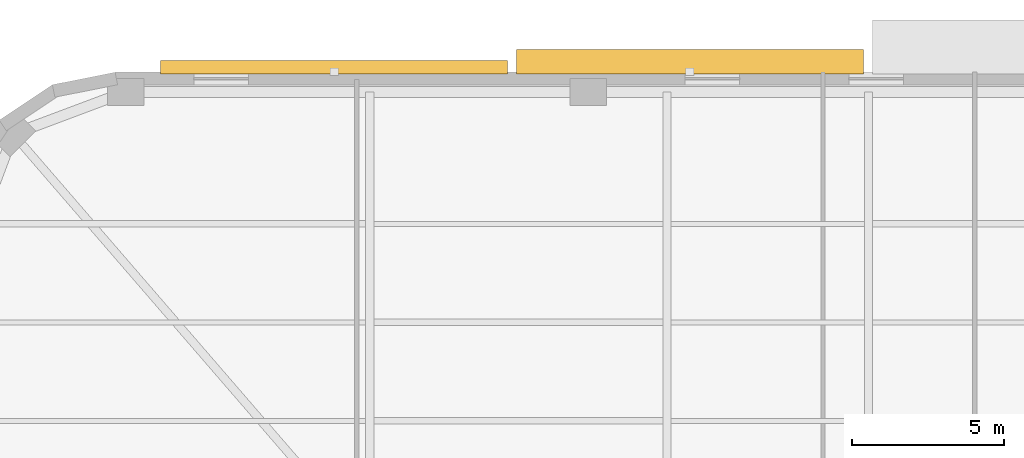
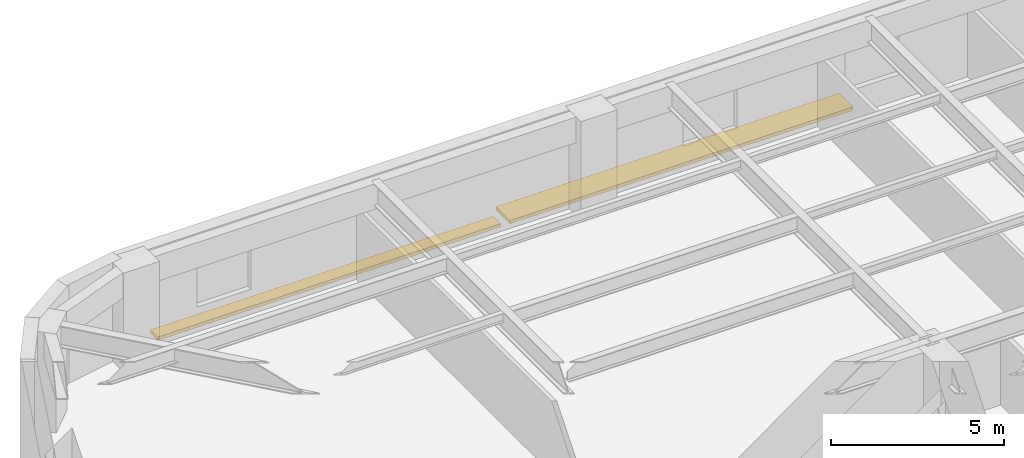
# One storey, part 12 of 14: 2 shading devices.
"""IFC4 building model written with IfcOpenShell, lengths in metres."""

from ifc_helpers import new_model, si_unit, direction, frame, origin, origin_2d, place, context, subcontext, project, spatial, rectangle, extrude, material, type_object, element, save


model = new_model("IFC4")

# Units and contexts
model_context = context("Model", 3, precision=1e-05, world=origin(), true_north=direction((0.0, 1.0)))
body_context = subcontext(model_context, "Body", "Model", "MODEL_VIEW")
ifc_project = project(units=[si_unit("LENGTHUNIT", "METRE"), si_unit("AREAUNIT", "SQUARE_METRE"), si_unit("VOLUMEUNIT", "CUBIC_METRE"), si_unit("PLANEANGLEUNIT", "RADIAN"), si_unit("MASSUNIT", "GRAM", prefix="KILO")], contexts=[model_context])

# Site, building, storey
site_placement = place(None, origin())
site = spatial("IfcSite", under=ifc_project, at=site_placement, CompositionType="ELEMENT")
building_placement = place(site_placement, origin())
building = spatial("IfcBuilding", under=site, at=building_placement, Name="Kolvaren Arena Tower", CompositionType="ELEMENT")
storey_placement = place(building_placement, frame((0.0, 0.0, 87.0)))
storey = spatial("IfcBuildingStorey", under=building, at=storey_placement, Name="L19", CompositionType="ELEMENT", Elevation=87.0)

# Shading devices
ifc_material = material(Name="Architectural precast GFRC and anodised aluminium sunshade", Category="concrete")
shading_device_type = type_object("IfcShadingDeviceType", Name="SHAD-SINE-A", PredefinedType="USERDEFINED", material=ifc_material)
shading_device_1_placement = place(storey_placement, frame((13.3701171875, 49.665771484375, -0.14013671875), z_axis=(0.0, 0.0, 1.0), x_axis=(1.0, 0.0, 0.0)))
element("IfcShadingDevice", 1, at=shading_device_1_placement, inside=storey, type_object=shading_device_type, Name="Sinusoidal Slab-Edge Sunshade Louvre (L19)", ObjectType="LOUVRE", PredefinedType="USERDEFINED", context=body_context, shape_type="SweptSolid", body=[
    extrude(rectangle(XDim=11.43994140625, YDim=0.431640625, at=origin_2d()), origin(), (0.0, 0.0, 1.0), 0.1201171875),
])
shading_device_2_placement = place(storey_placement, frame((25.110107421875, 49.85400390625, -0.14013671875), z_axis=(0.0, 0.0, 1.0), x_axis=(1.0, 0.0, 0.0)))
element("IfcShadingDevice", 2, at=shading_device_2_placement, inside=storey, type_object=shading_device_type, Name="Sinusoidal Slab-Edge Sunshade Louvre (L19)", ObjectType="LOUVRE", PredefinedType="USERDEFINED", context=body_context, shape_type="SweptSolid", body=[
    extrude(rectangle(XDim=11.43994140625, YDim=0.80810546875, at=origin_2d()), origin(), (0.0, 0.0, 1.0), 0.1201171875),
])

save(model, "model.ifc")
